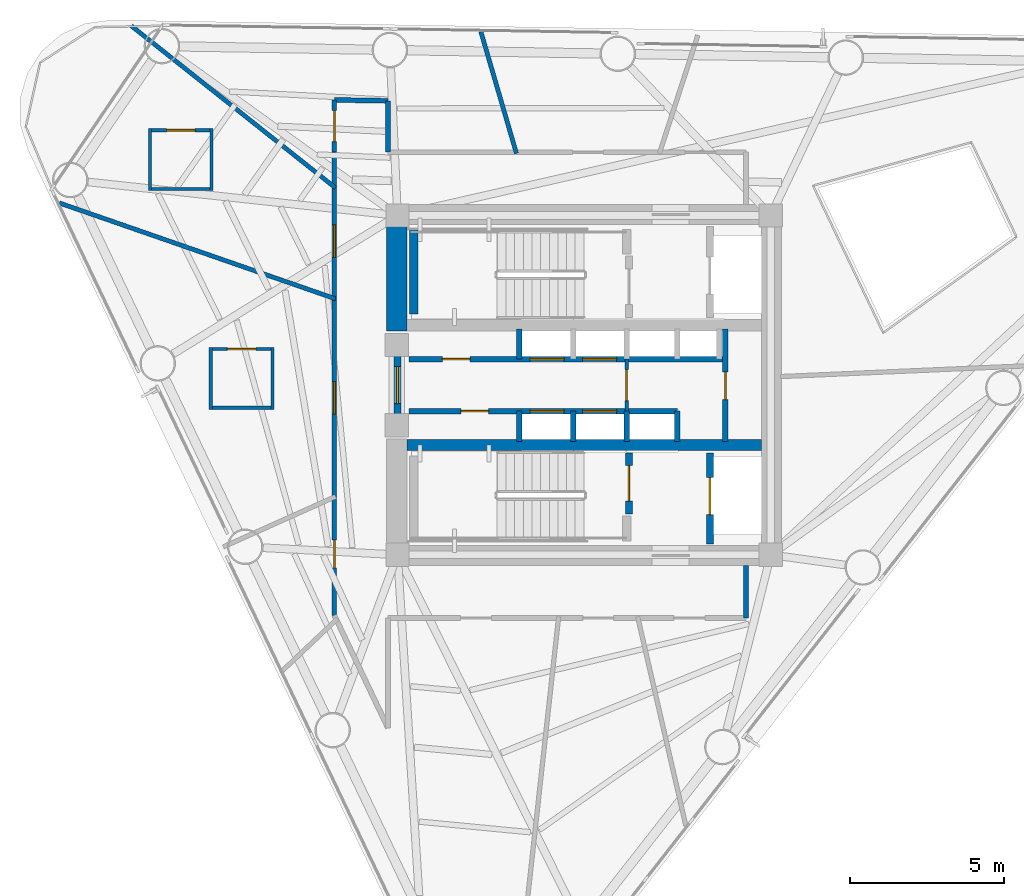
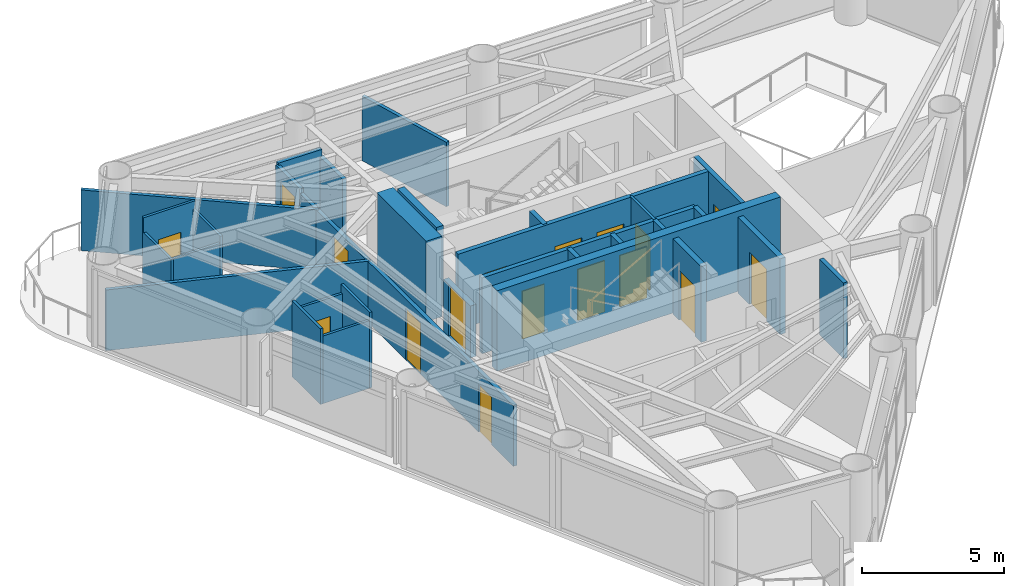
# One storey, part 5 of 9: 31 walls, 17 doors, 17 openings.
"""IFC4 building model written with IfcOpenShell, lengths in metres."""

from ifc_helpers import new_model, si_unit, direction, frame, frame_2d, origin, place, context, subcontext, project, spatial, rectangle, extrude, material, layer, layer_set, type_object, element, fill, save


model = new_model("IFC4")

# Units and contexts
model_context = context("Model", 3, precision=1e-05, world=origin(), true_north=direction((0.0, 1.0)))
body_context = subcontext(model_context, "Body", "Model", "MODEL_VIEW")
ifc_project = project(units=[si_unit("LENGTHUNIT", "METRE"), si_unit("AREAUNIT", "SQUARE_METRE"), si_unit("VOLUMEUNIT", "CUBIC_METRE"), si_unit("PLANEANGLEUNIT", "RADIAN"), si_unit("MASSUNIT", "GRAM", prefix="KILO")], contexts=[model_context])

# Site, building, storey
site_placement = place(None, origin())
site = spatial("IfcSite", under=ifc_project, at=site_placement, CompositionType="ELEMENT")
building_placement = place(site_placement, origin())
building = spatial("IfcBuilding", under=site, at=building_placement, Name="Yunling Apex Tower", CompositionType="ELEMENT")
storey_placement = place(building_placement, frame((0.0, 0.0, 205.25)))
storey = spatial("IfcBuildingStorey", under=building, at=storey_placement, Name="L50", CompositionType="ELEMENT", Elevation=205.25)

# Walls
ifc_material_1 = material(Name="Concrete C50", Category="concrete")
ifc_layer_1 = layer(ifc_material_1, 0.64990234375)
ifc_layer_set_1 = layer_set([ifc_layer_1], Name="Concrete C50")
wall_type_1 = type_object("IfcWallType", Name="WL-COR-2", PredefinedType="SHEAR", material=ifc_layer_set_1)
wall_1_placement = place(storey_placement, frame((-6.074951171875, 1.75, 0.0), z_axis=(0.0, 0.0, 1.0), x_axis=(0.0, 1.0, 0.0)))
element("IfcWall", 1, at=wall_1_placement, inside=storey, type_object=wall_type_1, Name="L50 West-North Core Shear Wall", PredefinedType="SHEAR", context=body_context, shape_type="SweptSolid", body=[
    extrude(rectangle(XDim=3.449951171875, YDim=0.64990234375, at=frame_2d((1.72509765625, 0.0))), origin(), (0.0, 0.0, 1.0), 3.449951171875),
])
ifc_material_2 = material(Name="Concrete C40", Category="concrete")
ifc_layer_2 = layer(ifc_material_2, 0.360107421875)
ifc_layer_set_2 = layer_set([ifc_layer_2], Name="Concrete C40")
wall_type_2 = type_object("IfcWallType", Name="WL-COR-4", PredefinedType="SHEAR", material=ifc_layer_set_2)
wall_2_placement = place(storey_placement, frame((-5.75, -1.93994140625, 0.0), z_axis=(0.0, 0.0, 1.0), x_axis=(1.0, 0.0, 0.0)))
element("IfcWall", 2, at=wall_2_placement, inside=storey, type_object=wall_type_2, Name="L50 South Internal Core Shear Wall", PredefinedType="SHEAR", context=body_context, shape_type="SweptSolid", body=[
    extrude(rectangle(XDim=11.5, YDim=0.360107421875, at=frame_2d((5.75, 0.0))), origin(), (0.0, 0.0, 1.0), 3.449951171875),
])
ifc_layer_3 = layer(ifc_material_2, 0.280029296875)
ifc_layer_set_3 = layer_set([ifc_layer_3], Name="Concrete C40")
wall_type_3 = type_object("IfcWallType", Name="WL-COR-8", PredefinedType="SHEAR", material=ifc_layer_set_3)
wall_3_placement = place(storey_placement, frame((-5.52001953125, 2.300048828125, 0.0), z_axis=(0.0, 0.0, 1.0), x_axis=(0.0, 1.0, 0.0)))
element("IfcWall", 3, at=wall_3_placement, inside=storey, type_object=wall_type_3, Name="L50 ST-1 West Landing Bearing Wall", PredefinedType="SHEAR", context=body_context, shape_type="SweptSolid", body=[
    extrude(rectangle(XDim=2.75, YDim=0.280029296875, at=frame_2d((1.375, 0.0))), origin(), (0.0, 0.0, 1.0), 3.449951171875),
])

# Wall, openings, doors
ifc_material_3 = material(Name="Gypsum board acoustic partition")
ifc_layer_4 = layer(ifc_material_3, 0.159912109375)
ifc_layer_set_4 = layer_set([ifc_layer_4], Name="Gypsum board acoustic partition")
wall_type_4 = type_object("IfcWallType", Name="WL-PRT-1", PredefinedType="PARTITIONING", material=ifc_layer_set_4)
wall_4_placement = place(storey_placement, frame((-8.10009765625, -7.460205078125, 0.0), z_axis=(0.0, 0.0, 1.0), x_axis=(0.0, 1.0, 0.0)))
wall_4 = element("IfcWall", 4, at=wall_4_placement, inside=storey, type_object=wall_type_4, Name="WL-CORR-L50-02", PredefinedType="PARTITIONING", context=body_context, shape_type="SweptSolid", body=[
    extrude(rectangle(XDim=15.01025390625, YDim=0.159912109375, at=frame_2d((7.505126953125, 0.0))), origin(), (0.0, 0.0, 1.0), 2.60498046875),
])
opening_1_placement = place(wall_4_placement, frame((1.537109375, 0.0, 0.0)))
opening_1 = element("IfcOpeningElement", 5, at=opening_1_placement, cuts=wall_4, Name="Opening DR-SHF-1", PredefinedType="OPENING", context=body_context, shape_type="SweptSolid", body=[
    extrude(rectangle(XDim=0.89990234375, YDim=2.050048828125, at=frame_2d((0.449951171875, 1.02490234375))), frame((0.0, 0.08984375, 0.0), z_axis=(0.0, -1.0, 0.0), x_axis=(1.0, 0.0, 0.0)), (0.0, 0.0, 1.0), 0.179931640625),
])
opening_2_placement = place(wall_4_placement, frame((6.522216796875, 0.0, 0.0)))
opening_2 = element("IfcOpeningElement", 6, at=opening_2_placement, cuts=wall_4, Name="Opening DR-FL-1", PredefinedType="OPENING", context=body_context, shape_type="SweptSolid", body=[
    extrude(rectangle(XDim=1.050048828125, YDim=2.199951171875, at=frame_2d((0.52490234375, 1.10009765625))), frame((0.0, 0.08984375, 0.0), z_axis=(0.0, -1.0, 0.0), x_axis=(1.0, 0.0, 0.0)), (0.0, 0.0, 1.0), 0.179931640625),
])
opening_3_placement = place(wall_4_placement, frame((11.604248046875, 0.0, 0.0)))
opening_3 = element("IfcOpeningElement", 7, at=opening_3_placement, cuts=wall_4, Name="Opening DR-FL-1", PredefinedType="OPENING", context=body_context, shape_type="SweptSolid", body=[
    extrude(rectangle(XDim=1.050048828125, YDim=2.199951171875, at=frame_2d((0.52490234375, 1.10009765625))), frame((0.0, 0.08984375, 0.0), z_axis=(0.0, -1.0, 0.0), x_axis=(1.0, 0.0, 0.0)), (0.0, 0.0, 1.0), 0.179931640625),
])
ifc_material_4 = material(Name="Timber fire-rated leaf", Category="wood")
door_type_1 = type_object("IfcDoorType", Name="DR-FL-1", OperationType="NOTDEFINED", PredefinedType="DOOR", material=ifc_material_4)
door_1_placement = place(opening_2_placement, origin())
door_1 = element("IfcDoor", 8, at=door_1_placement, inside=storey, type_object=door_type_1, Name="L50 Hotel Suite Door", OperationType="SINGLE_SWING_LEFT", OverallHeight=2.199951171875, OverallWidth=1.050048828125, PredefinedType="DOOR", context=body_context, shape_type="SweptSolid", body=[
    extrude(rectangle(XDim=1.050048828125, YDim=2.199951171875, at=frame_2d((0.52490234375, 1.10009765625))), frame((0.0, 0.02490234375, 0.0), z_axis=(0.0, -1.0, 0.0), x_axis=(1.0, 0.0, 0.0)), (0.0, 0.0, 1.0), 0.050048828125),
])
fill(opening_2, door_1)
door_2_placement = place(opening_3_placement, origin())
door_2 = element("IfcDoor", 9, at=door_2_placement, inside=storey, type_object=door_type_1, Name="L50 Hotel Suite Door", OperationType="SINGLE_SWING_RIGHT", OverallHeight=2.199951171875, OverallWidth=1.050048828125, PredefinedType="DOOR", context=body_context, shape_type="SweptSolid", body=[
    extrude(rectangle(XDim=1.050048828125, YDim=2.199951171875, at=frame_2d((0.52490234375, 1.10009765625))), frame((0.0, 0.02490234375, 0.0), z_axis=(0.0, -1.0, 0.0), x_axis=(1.0, 0.0, 0.0)), (0.0, 0.0, 1.0), 0.050048828125),
])
fill(opening_3, door_2)
ifc_material_5 = material(Name="Steel Q355B", Category="steel")
door_type_2 = type_object("IfcDoorType", Name="DR-SHF-1", OperationType="NOTDEFINED", PredefinedType="DOOR", material=ifc_material_5)
door_3_placement = place(opening_1_placement, origin())
door_3 = element("IfcDoor", 10, at=door_3_placement, inside=storey, type_object=door_type_2, Name="L50 Housekeeping Room Door", OperationType="SINGLE_SWING_RIGHT", OverallHeight=2.050048828125, OverallWidth=0.89990234375, PredefinedType="DOOR", context=body_context, shape_type="SweptSolid", body=[
    extrude(rectangle(XDim=0.89990234375, YDim=2.050048828125, at=frame_2d((0.449951171875, 1.02490234375))), frame((0.0, 0.02490234375, 0.0), z_axis=(0.0, -1.0, 0.0), x_axis=(1.0, 0.0, 0.0)), (0.0, 0.0, 1.0), 0.050048828125),
])
fill(opening_1, door_3)

# Wall, opening, door
wall_5_placement = place(storey_placement, frame((-8.10009765625, 7.550048828125, 0.0), z_axis=(0.0, 0.0, 1.0), x_axis=(0.0, 1.0, 0.0)))
wall_5 = element("IfcWall", 11, at=wall_5_placement, inside=storey, type_object=wall_type_4, Name="WL-CORR-L50-03", PredefinedType="PARTITIONING", context=body_context, shape_type="SweptSolid", body=[
    extrude(rectangle(XDim=1.695556640625, YDim=0.159912109375, at=frame_2d((0.84765625, 0.0))), origin(), (0.0, 0.0, 1.0), 2.804931640625),
])
opening_4_placement = place(wall_5_placement, frame((0.347900390625, 0.0, 0.0)))
opening_4 = element("IfcOpeningElement", 12, at=opening_4_placement, cuts=wall_5, Name="Opening DR-OFF-1", PredefinedType="OPENING", context=body_context, shape_type="SweptSolid", body=[
    extrude(rectangle(XDim=1.0, YDim=2.25, at=frame_2d((0.5, 1.125))), frame((0.0, 0.08984375, 0.0), z_axis=(0.0, -1.0, 0.0), x_axis=(1.0, 0.0, 0.0)), (0.0, 0.0, 1.0), 0.179931640625),
])
ifc_material_6 = material(Name="Bronze anodised aluminium", Category="aluminium")
door_type_3 = type_object("IfcDoorType", Name="DR-OFF-1", OperationType="NOTDEFINED", PredefinedType="DOOR", material=ifc_material_6)
door_4_placement = place(opening_4_placement, origin())
door_4 = element("IfcDoor", 13, at=door_4_placement, inside=storey, type_object=door_type_3, Name="L50 Club Lounge Door", OperationType="SINGLE_SWING_LEFT", OverallHeight=2.25, OverallWidth=1.0, PredefinedType="DOOR", context=body_context, shape_type="SweptSolid", body=[
    extrude(rectangle(XDim=1.0, YDim=2.25, at=frame_2d((0.5, 1.125))), frame((0.0, 0.02490234375, 0.0), z_axis=(0.0, -1.0, 0.0), x_axis=(1.0, 0.0, 0.0)), (0.0, 0.0, 1.0), 0.050048828125),
])
fill(opening_4, door_4)

# Walls
wall_6_placement = place(storey_placement, frame((-8.10009765625, 9.24560546875, 0.0), z_axis=(0.0, 0.0, 1.0), x_axis=(0.999858281466, -0.016834992813, 0.0)))
element("IfcWall", 14, at=wall_6_placement, inside=storey, type_object=wall_type_4, Name="WL-CORR-L50-04", PredefinedType="PARTITIONING", context=body_context, shape_type="SweptSolid", body=[
    extrude(rectangle(XDim=1.740234375, YDim=0.159912109375, at=frame_2d((0.8701171875, 0.0))), origin(), (0.0, 0.0, 1.0), 2.905029296875),
])
wall_7_placement = place(storey_placement, frame((-6.360107421875, 9.21630859375, 0.0), z_axis=(0.0, 0.0, 1.0), x_axis=(0.0, -1.0, 0.0)))
element("IfcWall", 15, at=wall_7_placement, inside=storey, type_object=wall_type_4, Name="WL-CORR-L50-05", PredefinedType="PARTITIONING", context=body_context, shape_type="SweptSolid", body=[
    extrude(rectangle(XDim=1.666259765625, YDim=0.159912109375, at=frame_2d((0.8330078125, 0.0))), origin(), (0.0, 0.0, 1.0), 2.60498046875),
])
wall_8_placement = place(storey_placement, frame((5.25, -5.85009765625, 0.0), z_axis=(0.0, 0.0, 1.0), x_axis=(0.0, -1.0, 0.0)))
element("IfcWall", 16, at=wall_8_placement, inside=storey, type_object=wall_type_4, Name="WL-CORR-L50-08", PredefinedType="PARTITIONING", context=body_context, shape_type="SweptSolid", body=[
    extrude(rectangle(XDim=1.699951171875, YDim=0.159912109375, at=frame_2d((0.85009765625, 0.0))), origin(), (0.0, 0.0, 1.0), 3.25),
])
ifc_layer_5 = layer(ifc_material_3, 0.139892578125)
ifc_layer_set_5 = layer_set([ifc_layer_5], Name="Gypsum board acoustic partition")
wall_type_5 = type_object("IfcWallType", Name="WL-PRT-2", PredefinedType="PARTITIONING", material=ifc_layer_set_5)
wall_9_placement = place(storey_placement, frame((-2.194091796875, 7.510009765625, 0.0), z_axis=(0.0, 0.0, 1.0), x_axis=(-0.280410435425, 0.959880194454, 0.0)))
element("IfcWall", 17, at=wall_9_placement, inside=storey, type_object=wall_type_5, Name="WL-RAD-L50-03", PredefinedType="PARTITIONING", context=body_context, shape_type="SweptSolid", body=[
    extrude(rectangle(XDim=4.111328125, YDim=0.139892578125, at=frame_2d((2.0556640625, 0.0))), origin(), (0.0, 0.0, 1.0), 2.764892578125),
])
wall_10_placement = place(storey_placement, frame((-8.06005859375, 6.394775390625, 0.0), z_axis=(0.0, 0.0, 1.0), x_axis=(-0.783385602556, 0.621535998723, 0.0)))
element("IfcWall", 18, at=wall_10_placement, inside=storey, type_object=wall_type_5, Name="WL-RAD-L50-04", PredefinedType="PARTITIONING", context=body_context, shape_type="SweptSolid", body=[
    extrude(rectangle(XDim=8.44873046875, YDim=0.139892578125, at=frame_2d((4.224365234375, 0.0))), origin(), (0.0, 0.0, 1.0), 2.60498046875),
])
wall_11_placement = place(storey_placement, frame((-8.06005859375, 2.7978515625, 0.0), z_axis=(0.0, 0.0, 1.0), x_axis=(-0.944705149401, 0.327920997643, 0.0)))
element("IfcWall", 19, at=wall_11_placement, inside=storey, type_object=wall_type_5, Name="WL-RAD-L50-05", PredefinedType="PARTITIONING", context=body_context, shape_type="SweptSolid", body=[
    extrude(rectangle(XDim=9.47607421875, YDim=0.139892578125, at=frame_2d((4.738037109375, 0.0))), origin(), (0.0, 0.0, 1.0), 2.60498046875),
])

# Wall, opening, door
ifc_layer_6 = layer(ifc_material_3, 0.10009765625)
ifc_layer_set_6 = layer_set([ifc_layer_6], Name="Gypsum board acoustic partition")
wall_type_6 = type_object("IfcWallType", Name="WL-PRT-4", PredefinedType="PARTITIONING", material=ifc_layer_set_6)
wall_12_placement = place(storey_placement, frame((1.3798828125, -0.840087890625, 0.0), z_axis=(0.0, 0.0, 1.0), x_axis=(0.0, 1.0, 0.0)))
wall_12 = element("IfcWall", 20, at=wall_12_placement, inside=storey, type_object=wall_type_6, Name="WL-LOB-MID-L50", PredefinedType="PARTITIONING", context=body_context, shape_type="SweptSolid", body=[
    extrude(rectangle(XDim=1.68017578125, YDim=0.10009765625, at=frame_2d((0.840087890625, 0.0))), origin(), (0.0, 0.0, 1.0), 3.25),
])
opening_5_placement = place(wall_12_placement, frame((0.340087890625, 0.0, 0.0)))
opening_5 = element("IfcOpeningElement", 21, at=opening_5_placement, cuts=wall_12, Name="Opening DR-OFF-1", PredefinedType="OPENING", context=body_context, shape_type="SweptSolid", body=[
    extrude(rectangle(XDim=1.0, YDim=2.25, at=frame_2d((0.5, 1.125))), frame((0.0, 0.06005859375, 0.0), z_axis=(0.0, -1.0, 0.0), x_axis=(1.0, 0.0, 0.0)), (0.0, 0.0, 1.0), 0.1201171875),
])
door_5_placement = place(opening_5_placement, origin())
door_5 = element("IfcDoor", 22, at=door_5_placement, inside=storey, type_object=door_type_3, Name="L50 Core Lobby Link Door", OperationType="SINGLE_SWING_RIGHT", OverallHeight=2.25, OverallWidth=1.0, PredefinedType="DOOR", context=body_context, shape_type="SweptSolid", body=[
    extrude(rectangle(XDim=1.0, YDim=2.25, at=frame_2d((0.5, 1.125))), frame((0.0, 0.02490234375, 0.0), z_axis=(0.0, -1.0, 0.0), x_axis=(1.0, 0.0, 0.0)), (0.0, 0.0, 1.0), 0.050048828125),
])
fill(opening_5, door_5)

wall_13_placement = place(storey_placement, frame((-14.1240234375, 8.262939453125, 0.0), z_axis=(0.0, 0.0, 1.0), x_axis=(1.0, 0.0, 0.0)))
wall_13 = element("IfcWall", 23, at=wall_13_placement, inside=storey, type_object=wall_type_6, Name="WL-ENS-L50-8N", PredefinedType="PARTITIONING", context=body_context, shape_type="SweptSolid", body=[
    extrude(rectangle(XDim=2.10009765625, YDim=0.10009765625, at=frame_2d((1.050048828125, 0.0))), origin(), (0.0, 0.0, 1.0), 3.25),
])
opening_6_placement = place(wall_13_placement, frame((0.590087890625, 0.0, 0.0)))
opening_6 = element("IfcOpeningElement", 24, at=opening_6_placement, cuts=wall_13, Name="Opening DR-WC-1", PredefinedType="OPENING", context=body_context, shape_type="SweptSolid", body=[
    extrude(rectangle(XDim=0.919921875, YDim=2.10009765625, at=frame_2d((0.4599609375, 1.050048828125))), frame((0.0, 0.06005859375, 0.0), z_axis=(0.0, -1.0, 0.0), x_axis=(1.0, 0.0, 0.0)), (0.0, 0.0, 1.0), 0.1201171875),
])
ifc_material_7 = material(Name="Timber moisture-resistant leaf", Category="wood")
door_type_4 = type_object("IfcDoorType", Name="DR-WC-1", OperationType="NOTDEFINED", PredefinedType="DOOR", material=ifc_material_7)
door_6_placement = place(opening_6_placement, origin())
door_6 = element("IfcDoor", 25, at=door_6_placement, inside=storey, type_object=door_type_4, Name="L50 En-Suite Door", OperationType="SINGLE_SWING_RIGHT", OverallHeight=2.10009765625, OverallWidth=0.919921875, PredefinedType="DOOR", context=body_context, shape_type="SweptSolid", body=[
    extrude(rectangle(XDim=0.919921875, YDim=2.10009765625, at=frame_2d((0.4599609375, 1.050048828125))), frame((0.0, 0.02490234375, 0.0), z_axis=(0.0, -1.0, 0.0), x_axis=(1.0, 0.0, 0.0)), (0.0, 0.0, 1.0), 0.050048828125),
])
fill(opening_6, door_6)

# Walls
wall_14_placement = place(storey_placement, frame((-12.02392578125, 6.363037109375, 0.0), z_axis=(0.0, 0.0, 1.0), x_axis=(-1.0, 0.0, 0.0)))
element("IfcWall", 26, at=wall_14_placement, inside=storey, type_object=wall_type_6, Name="WL-ENS-L50-8S", PredefinedType="PARTITIONING", context=body_context, shape_type="SweptSolid", body=[
    extrude(rectangle(XDim=2.10009765625, YDim=0.10009765625, at=frame_2d((1.050048828125, 0.0))), origin(), (0.0, 0.0, 1.0), 2.60498046875),
])
wall_15_placement = place(storey_placement, frame((-12.073974609375, 8.31298828125, 0.0), z_axis=(0.0, 0.0, 1.0), x_axis=(0.0, -1.0, 0.0)))
element("IfcWall", 27, at=wall_15_placement, inside=storey, type_object=wall_type_6, Name="WL-ENS-L50-8E", PredefinedType="PARTITIONING", context=body_context, shape_type="SweptSolid", body=[
    extrude(rectangle(XDim=2.0, YDim=0.10009765625, at=frame_2d((1.0, 0.0))), origin(), (0.0, 0.0, 1.0), 2.905029296875),
])
wall_16_placement = place(storey_placement, frame((-14.073974609375, 6.31298828125, 0.0), z_axis=(0.0, 0.0, 1.0), x_axis=(0.0, 1.0, 0.0)))
element("IfcWall", 28, at=wall_16_placement, inside=storey, type_object=wall_type_6, Name="WL-ENS-L50-8W", PredefinedType="PARTITIONING", context=body_context, shape_type="SweptSolid", body=[
    extrude(rectangle(XDim=2.0, YDim=0.10009765625, at=frame_2d((1.0, 0.0))), origin(), (0.0, 0.0, 1.0), 2.60498046875),
])

# Wall, opening, door
wall_17_placement = place(storey_placement, frame((-12.155029296875, 1.1669921875, 0.0), z_axis=(0.0, 0.0, 1.0), x_axis=(1.0, 0.0, 0.0)))
wall_17 = element("IfcWall", 29, at=wall_17_placement, inside=storey, type_object=wall_type_6, Name="WL-ENS-L50-9N", PredefinedType="PARTITIONING", context=body_context, shape_type="SweptSolid", body=[
    extrude(rectangle(XDim=2.10009765625, YDim=0.10009765625, at=frame_2d((1.050048828125, 0.0))), origin(), (0.0, 0.0, 1.0), 2.905029296875),
])
opening_7_placement = place(wall_17_placement, frame((0.590087890625, 0.0, 0.0)))
opening_7 = element("IfcOpeningElement", 30, at=opening_7_placement, cuts=wall_17, Name="Opening DR-WC-1", PredefinedType="OPENING", context=body_context, shape_type="SweptSolid", body=[
    extrude(rectangle(XDim=0.919921875, YDim=2.10009765625, at=frame_2d((0.4599609375, 1.050048828125))), frame((0.0, 0.06005859375, 0.0), z_axis=(0.0, -1.0, 0.0), x_axis=(1.0, 0.0, 0.0)), (0.0, 0.0, 1.0), 0.1201171875),
])
door_7_placement = place(opening_7_placement, origin())
door_7 = element("IfcDoor", 31, at=door_7_placement, inside=storey, type_object=door_type_4, Name="L50 En-Suite Door", OperationType="SINGLE_SWING_LEFT", OverallHeight=2.10009765625, OverallWidth=0.919921875, PredefinedType="DOOR", context=body_context, shape_type="SweptSolid", body=[
    extrude(rectangle(XDim=0.919921875, YDim=2.10009765625, at=frame_2d((0.4599609375, 1.050048828125))), frame((0.0, 0.02490234375, 0.0), z_axis=(0.0, -1.0, 0.0), x_axis=(1.0, 0.0, 0.0)), (0.0, 0.0, 1.0), 0.050048828125),
])
fill(opening_7, door_7)

# Walls
wall_18_placement = place(storey_placement, frame((-10.054931640625, -0.73291015625, 0.0), z_axis=(0.0, 0.0, 1.0), x_axis=(-1.0, 0.0, 0.0)))
element("IfcWall", 32, at=wall_18_placement, inside=storey, type_object=wall_type_6, Name="WL-ENS-L50-9S", PredefinedType="PARTITIONING", context=body_context, shape_type="SweptSolid", body=[
    extrude(rectangle(XDim=2.10009765625, YDim=0.10009765625, at=frame_2d((1.050048828125, 0.0))), origin(), (0.0, 0.0, 1.0), 2.905029296875),
])
for number, where, z_axis, x_axis, name in (
    (33, (-10.10498046875, 1.217041015625, 0.0), (0.0, 0.0, 1.0), (0.0, -1.0, 0.0), "WL-ENS-L50-9E"),
    (34, (-12.10498046875, -0.782958984375, 0.0), (0.0, 0.0, 1.0), (0.0, 1.0, 0.0), "WL-ENS-L50-9W"),
):
    element("IfcWall", number, at=place(storey_placement, frame(where, z_axis=z_axis, x_axis=x_axis)), inside=storey, type_object=wall_type_6, Name=name, PredefinedType="PARTITIONING", context=body_context, shape_type="SweptSolid", body=[
        extrude(rectangle(XDim=2.0, YDim=0.10009765625, at=frame_2d((1.0, 0.0))), origin(), (0.0, 0.0, 1.0), 3.25),
    ])

# Wall, opening, door
ifc_material_8 = material(Name="Autoclaved aerated concrete masonry", Category="masonry")
ifc_layer_7 = layer(ifc_material_8, 0.219970703125)
ifc_layer_set_7 = layer_set([ifc_layer_7], Name="Autoclaved aerated concrete masonry")
wall_type_7 = type_object("IfcWallType", Name="WL-SHF-1", PredefinedType="PLUMBINGWALL", material=ifc_layer_set_7)
wall_19_placement = place(storey_placement, frame((-6.050048828125, -0.949951171875, 0.0), z_axis=(0.0, 0.0, 1.0), x_axis=(0.0, 1.0, 0.0)))
wall_19 = element("IfcWall", 35, at=wall_19_placement, inside=storey, type_object=wall_type_7, Name="WL-COR-WPORT-L50", PredefinedType="PLUMBINGWALL", context=body_context, shape_type="SweptSolid", body=[
    extrude(rectangle(XDim=1.89990234375, YDim=0.219970703125, at=frame_2d((0.949951171875, 0.0))), origin(), (0.0, 0.0, 1.0), 2.22998046875),
])
opening_8_placement = place(wall_19_placement, frame((0.35009765625, 0.0, 0.0)))
opening_8 = element("IfcOpeningElement", 36, at=opening_8_placement, cuts=wall_19, Name="Opening DR-FFL-1", PredefinedType="OPENING", context=body_context, shape_type="SweptSolid", body=[
    extrude(rectangle(XDim=1.199951171875, YDim=2.199951171875, at=frame_2d((0.60009765625, 1.10009765625))), frame((0.0, 0.1201171875, 0.0), z_axis=(0.0, -1.0, 0.0), x_axis=(1.0, 0.0, 0.0)), (0.0, 0.0, 1.0), 0.239990234375),
])
door_type_5 = type_object("IfcDoorType", Name="DR-FFL-1", OperationType="NOTDEFINED", PredefinedType="DOOR", material=ifc_material_5)
door_8_placement = place(opening_8_placement, origin())
door_8 = element("IfcDoor", 37, at=door_8_placement, inside=storey, type_object=door_type_5, Name="L50 Passenger Lift Lobby Entrance Door", OperationType="SINGLE_SWING_LEFT", OverallHeight=2.199951171875, OverallWidth=1.199951171875, PredefinedType="DOOR", context=body_context, shape_type="SweptSolid", body=[
    extrude(rectangle(XDim=1.199951171875, YDim=2.199951171875, at=frame_2d((0.60009765625, 1.10009765625))), frame((0.0, 0.02490234375, 0.0), z_axis=(0.0, -1.0, 0.0), x_axis=(1.0, 0.0, 0.0)), (0.0, 0.0, 1.0), 0.050048828125),
])
fill(opening_8, door_8)

wall_20_placement = place(storey_placement, frame((1.449951171875, -4.179931640625, 0.0), z_axis=(0.0, 0.0, 1.0), x_axis=(0.0, 1.0, 0.0)))
wall_20 = element("IfcWall", 38, at=wall_20_placement, inside=storey, type_object=wall_type_7, Name="WL-ST2-E-L50", PredefinedType="PLUMBINGWALL", context=body_context, shape_type="SweptSolid", body=[
    extrude(rectangle(XDim=1.97998046875, YDim=0.219970703125, at=frame_2d((0.989990234375, 0.0))), origin(), (0.0, 0.0, 1.0), 3.25),
])
opening_9_placement = place(wall_20_placement, frame((0.419921875, 0.0, 0.0)))
opening_9 = element("IfcOpeningElement", 39, at=opening_9_placement, cuts=wall_20, Name="Opening DR-ST-1", PredefinedType="OPENING", context=body_context, shape_type="SweptSolid", body=[
    extrude(rectangle(XDim=1.14990234375, YDim=2.14990234375, at=frame_2d((0.574951171875, 1.074951171875))), frame((0.0, 0.1201171875, 0.0), z_axis=(0.0, -1.0, 0.0), x_axis=(1.0, 0.0, 0.0)), (0.0, 0.0, 1.0), 0.239990234375),
])
door_type_6 = type_object("IfcDoorType", Name="DR-ST-1", OperationType="NOTDEFINED", PredefinedType="DOOR", material=ifc_material_5)
door_9_placement = place(opening_9_placement, origin())
door_9 = element("IfcDoor", 40, at=door_9_placement, inside=storey, type_object=door_type_6, Name="L50 Stair ST-2 Fire Door", OperationType="SINGLE_SWING_LEFT", OverallHeight=2.14990234375, OverallWidth=1.14990234375, PredefinedType="DOOR", context=body_context, shape_type="SweptSolid", body=[
    extrude(rectangle(XDim=1.14990234375, YDim=2.14990234375, at=frame_2d((0.574951171875, 1.074951171875))), frame((0.0, 0.02490234375, 0.0), z_axis=(0.0, -1.0, 0.0), x_axis=(1.0, 0.0, 0.0)), (0.0, 0.0, 1.0), 0.050048828125),
])
fill(opening_9, door_9)

wall_21_placement = place(storey_placement, frame((4.080078125, -5.14990234375, 0.0), z_axis=(0.0, 0.0, 1.0), x_axis=(0.0, 1.0, 0.0)))
wall_21 = element("IfcWall", 41, at=wall_21_placement, inside=storey, type_object=wall_type_7, Name="WL-FFL2-W-L50", PredefinedType="PLUMBINGWALL", context=body_context, shape_type="SweptSolid", body=[
    extrude(rectangle(XDim=2.949951171875, YDim=0.219970703125, at=frame_2d((1.47509765625, 0.0))), origin(), (0.0, 0.0, 1.0), 3.25),
])
opening_10_placement = place(wall_21_placement, frame((0.949951171875, 0.0, 0.0)))
opening_10 = element("IfcOpeningElement", 42, at=opening_10_placement, cuts=wall_21, Name="Opening LD-FFL-1", PredefinedType="OPENING", context=body_context, shape_type="SweptSolid", body=[
    extrude(rectangle(XDim=1.199951171875, YDim=2.25, at=frame_2d((0.60009765625, 1.125))), frame((0.0, 0.1201171875, 0.0), z_axis=(0.0, -1.0, 0.0), x_axis=(1.0, 0.0, 0.0)), (0.0, 0.0, 1.0), 0.239990234375),
])
door_type_7 = type_object("IfcDoorType", Name="LD-FFL-1", OperationType="DOUBLE_DOOR_SLIDING", PredefinedType="DOOR", material=ifc_material_5)
door_10_placement = place(opening_10_placement, origin())
door_10 = element("IfcDoor", 43, at=door_10_placement, inside=storey, type_object=door_type_7, Name="L50 Lift FFL-2 Landing Door", OperationType="DOUBLE_DOOR_SLIDING", OverallHeight=2.25, OverallWidth=1.199951171875, PredefinedType="DOOR", context=body_context, shape_type="SweptSolid", body=[
    extrude(rectangle(XDim=1.199951171875, YDim=2.25, at=frame_2d((0.60009765625, 1.125))), frame((0.0, 0.02490234375, 0.0), z_axis=(0.0, -1.0, 0.0), x_axis=(1.0, 0.0, 0.0)), (0.0, 0.0, 1.0), 0.050048828125),
])
fill(opening_10, door_10)

# Walls
ifc_layer_8 = layer(ifc_material_8, 0.179931640625)
ifc_layer_set_8 = layer_set([ifc_layer_8], Name="Autoclaved aerated concrete masonry")
wall_type_8 = type_object("IfcWallType", Name="WL-SHF-2", PredefinedType="PLUMBINGWALL", material=ifc_layer_set_8)
for number, where, z_axis, x_axis, name in (
    (44, (-2.10009765625, 0.840087890625, 0.0), (0.0, 0.0, 1.0), (0.0, 1.0, 0.0), "WL-BNK-LM-N-L50"),
    (45, (-2.10009765625, -1.820068359375, 0.0), (0.0, 0.0, 1.0), (0.0, 1.0, 0.0), "WL-BNK-LM-S-L50"),
    (46, (-0.35009765625, -1.820068359375, 0.0), (0.0, 0.0, 1.0), (0.0, 1.0, 0.0), "WL-DIV-M34-L50"),
    (47, (1.3798828125, -1.820068359375, 0.0), (0.0, 0.0, 1.0), (0.0, 1.0, 0.0), "WL-BNK-MH-S-L50"),
    (48, (3.02001953125, -1.820068359375, 0.0), (0.0, 0.0, 1.0), (0.0, 1.0, 0.0), "WL-END-H2E-L50"),
):
    element("IfcWall", number, at=place(storey_placement, frame(where, z_axis=z_axis, x_axis=x_axis)), inside=storey, type_object=wall_type_8, Name=name, PredefinedType="PLUMBINGWALL", context=body_context, shape_type="SweptSolid", body=[
        extrude(rectangle(XDim=0.97998046875, YDim=0.179931640625, at=frame_2d((0.489990234375, 0.0))), origin(), (0.0, 0.0, 1.0), 3.25),
    ])

# Wall, opening, door
wall_22_placement = place(storey_placement, frame((4.580078125, -1.820068359375, 0.0), z_axis=(0.0, 0.0, 1.0), x_axis=(0.0, 1.0, 0.0)))
wall_22 = element("IfcWall", 49, at=wall_22_placement, inside=storey, type_object=wall_type_8, Name="WL-KBE-W-L50", PredefinedType="PLUMBINGWALL", context=body_context, shape_type="SweptSolid", body=[
    extrude(rectangle(XDim=3.64013671875, YDim=0.179931640625, at=frame_2d((1.820068359375, 0.0))), origin(), (0.0, 0.0, 1.0), 3.25),
])
opening_11_placement = place(wall_22_placement, frame((1.35009765625, 0.0, 0.0)))
opening_11 = element("IfcOpeningElement", 50, at=opening_11_placement, cuts=wall_22, Name="Opening DR-SHF-1", PredefinedType="OPENING", context=body_context, shape_type="SweptSolid", body=[
    extrude(rectangle(XDim=0.89990234375, YDim=2.050048828125, at=frame_2d((0.449951171875, 1.02490234375))), frame((0.0, 0.10009765625, 0.0), z_axis=(0.0, -1.0, 0.0), x_axis=(1.0, 0.0, 0.0)), (0.0, 0.0, 1.0), 0.199951171875),
])
door_11_placement = place(opening_11_placement, origin())
door_11 = element("IfcDoor", 51, at=door_11_placement, inside=storey, type_object=door_type_2, Name="L50 Core Meter Room Door", OperationType="SINGLE_SWING_LEFT", OverallHeight=2.050048828125, OverallWidth=0.89990234375, PredefinedType="DOOR", context=body_context, shape_type="SweptSolid", body=[
    extrude(rectangle(XDim=0.89990234375, YDim=2.050048828125, at=frame_2d((0.449951171875, 1.02490234375))), frame((0.0, 0.02490234375, 0.0), z_axis=(0.0, -1.0, 0.0), x_axis=(1.0, 0.0, 0.0)), (0.0, 0.0, 1.0), 0.050048828125),
])
fill(opening_11, door_11)

# Wall, openings, doors
wall_23_placement = place(storey_placement, frame((-5.679931640625, 0.840087890625, 0.0), z_axis=(0.0, 0.0, 1.0), x_axis=(1.0, 0.0, 0.0)))
wall_23 = element("IfcWall", 52, at=wall_23_placement, inside=storey, type_object=wall_type_8, Name="WL-LOB-N-L50", PredefinedType="PLUMBINGWALL", context=body_context, shape_type="SweptSolid", body=[
    extrude(rectangle(XDim=10.260009765625, YDim=0.179931640625, at=frame_2d((5.1298828125, 0.0))), origin(), (0.0, 0.0, 1.0), 3.25),
])
opening_12_placement = place(wall_23_placement, frame((1.080078125, 0.0, 0.0)))
opening_12 = element("IfcOpeningElement", 53, at=opening_12_placement, cuts=wall_23, Name="Opening DR-SHF-1", PredefinedType="OPENING", context=body_context, shape_type="SweptSolid", body=[
    extrude(rectangle(XDim=0.89990234375, YDim=2.050048828125, at=frame_2d((0.449951171875, 1.02490234375))), frame((0.0, 0.10009765625, 0.0), z_axis=(0.0, -1.0, 0.0), x_axis=(1.0, 0.0, 0.0)), (0.0, 0.0, 1.0), 0.199951171875),
])
opening_13_placement = place(wall_23_placement, frame((3.929931640625, 0.0, 0.0)))
opening_13 = element("IfcOpeningElement", 54, at=opening_13_placement, cuts=wall_23, Name="Opening LD-PAS-1", PredefinedType="OPENING", context=body_context, shape_type="SweptSolid", body=[
    extrude(rectangle(XDim=1.10009765625, YDim=2.199951171875, at=frame_2d((0.550048828125, 1.10009765625))), frame((0.0, 0.10009765625, 0.0), z_axis=(0.0, -1.0, 0.0), x_axis=(1.0, 0.0, 0.0)), (0.0, 0.0, 1.0), 0.199951171875),
])
opening_14_placement = place(wall_23_placement, frame((5.6298828125, 0.0, 0.0)))
opening_14 = element("IfcOpeningElement", 55, at=opening_14_placement, cuts=wall_23, Name="Opening LD-PAS-1", PredefinedType="OPENING", context=body_context, shape_type="SweptSolid", body=[
    extrude(rectangle(XDim=1.10009765625, YDim=2.199951171875, at=frame_2d((0.550048828125, 1.10009765625))), frame((0.0, 0.10009765625, 0.0), z_axis=(0.0, -1.0, 0.0), x_axis=(1.0, 0.0, 0.0)), (0.0, 0.0, 1.0), 0.199951171875),
])
door_12_placement = place(opening_12_placement, origin())
door_12 = element("IfcDoor", 56, at=door_12_placement, inside=storey, type_object=door_type_2, Name="L50 BMS Plant Door", OperationType="SINGLE_SWING_RIGHT", OverallHeight=2.050048828125, OverallWidth=0.89990234375, PredefinedType="DOOR", context=body_context, shape_type="SweptSolid", body=[
    extrude(rectangle(XDim=0.89990234375, YDim=2.050048828125, at=frame_2d((0.449951171875, 1.02490234375))), frame((0.0, 0.02490234375, 0.0), z_axis=(0.0, -1.0, 0.0), x_axis=(1.0, 0.0, 0.0)), (0.0, 0.0, 1.0), 0.050048828125),
])
fill(opening_12, door_12)
ifc_material_9 = material(Name="Silver anodised aluminium", Category="aluminium")
door_type_8 = type_object("IfcDoorType", Name="LD-PAS-1", OperationType="DOUBLE_DOOR_SLIDING", PredefinedType="DOOR", material=ifc_material_9)
door_13_placement = place(opening_13_placement, origin())
door_13 = element("IfcDoor", 57, at=door_13_placement, inside=storey, type_object=door_type_8, Name="L50 Lift PL-M1 Landing Door", OperationType="DOUBLE_DOOR_SLIDING", OverallHeight=2.199951171875, OverallWidth=1.10009765625, PredefinedType="DOOR", context=body_context, shape_type="SweptSolid", body=[
    extrude(rectangle(XDim=1.10009765625, YDim=2.199951171875, at=frame_2d((0.550048828125, 1.10009765625))), frame((0.0, 0.02490234375, 0.0), z_axis=(0.0, -1.0, 0.0), x_axis=(1.0, 0.0, 0.0)), (0.0, 0.0, 1.0), 0.050048828125),
])
fill(opening_13, door_13)
door_14_placement = place(opening_14_placement, origin())
door_14 = element("IfcDoor", 58, at=door_14_placement, inside=storey, type_object=door_type_8, Name="L50 Lift PL-M2 Landing Door", OperationType="DOUBLE_DOOR_SLIDING", OverallHeight=2.199951171875, OverallWidth=1.10009765625, PredefinedType="DOOR", context=body_context, shape_type="SweptSolid", body=[
    extrude(rectangle(XDim=1.10009765625, YDim=2.199951171875, at=frame_2d((0.550048828125, 1.10009765625))), frame((0.0, 0.02490234375, 0.0), z_axis=(0.0, -1.0, 0.0), x_axis=(1.0, 0.0, 0.0)), (0.0, 0.0, 1.0), 0.050048828125),
])
fill(opening_14, door_14)

wall_24_placement = place(storey_placement, frame((-5.679931640625, -0.840087890625, 0.0), z_axis=(0.0, 0.0, 1.0), x_axis=(1.0, 0.0, 0.0)))
wall_24 = element("IfcWall", 59, at=wall_24_placement, inside=storey, type_object=wall_type_8, Name="WL-LOB-S-L50", PredefinedType="PLUMBINGWALL", context=body_context, shape_type="SweptSolid", body=[
    extrude(rectangle(XDim=8.699951171875, YDim=0.179931640625, at=frame_2d((4.35009765625, 0.0))), origin(), (0.0, 0.0, 1.0), 3.25),
])
opening_15_placement = place(wall_24_placement, frame((1.679931640625, 0.0, 0.0)))
opening_15 = element("IfcOpeningElement", 60, at=opening_15_placement, cuts=wall_24, Name="Opening DR-SHF-1", PredefinedType="OPENING", context=body_context, shape_type="SweptSolid", body=[
    extrude(rectangle(XDim=0.89990234375, YDim=2.050048828125, at=frame_2d((0.449951171875, 1.02490234375))), frame((0.0, 0.10009765625, 0.0), z_axis=(0.0, -1.0, 0.0), x_axis=(1.0, 0.0, 0.0)), (0.0, 0.0, 1.0), 0.199951171875),
])
opening_16_placement = place(wall_24_placement, frame((3.929931640625, 0.0, 0.0)))
opening_16 = element("IfcOpeningElement", 61, at=opening_16_placement, cuts=wall_24, Name="Opening LD-PAS-1", PredefinedType="OPENING", context=body_context, shape_type="SweptSolid", body=[
    extrude(rectangle(XDim=1.10009765625, YDim=2.199951171875, at=frame_2d((0.550048828125, 1.10009765625))), frame((0.0, 0.10009765625, 0.0), z_axis=(0.0, -1.0, 0.0), x_axis=(1.0, 0.0, 0.0)), (0.0, 0.0, 1.0), 0.199951171875),
])
opening_17_placement = place(wall_24_placement, frame((5.6298828125, 0.0, 0.0)))
opening_17 = element("IfcOpeningElement", 62, at=opening_17_placement, cuts=wall_24, Name="Opening LD-PAS-1", PredefinedType="OPENING", context=body_context, shape_type="SweptSolid", body=[
    extrude(rectangle(XDim=1.10009765625, YDim=2.199951171875, at=frame_2d((0.550048828125, 1.10009765625))), frame((0.0, 0.10009765625, 0.0), z_axis=(0.0, -1.0, 0.0), x_axis=(1.0, 0.0, 0.0)), (0.0, 0.0, 1.0), 0.199951171875),
])
door_15_placement = place(opening_15_placement, origin())
door_15 = element("IfcDoor", 63, at=door_15_placement, inside=storey, type_object=door_type_2, Name="L50 Supply Store Door", OperationType="SINGLE_SWING_LEFT", OverallHeight=2.050048828125, OverallWidth=0.89990234375, PredefinedType="DOOR", context=body_context, shape_type="SweptSolid", body=[
    extrude(rectangle(XDim=0.89990234375, YDim=2.050048828125, at=frame_2d((0.449951171875, 1.02490234375))), frame((0.0, 0.02490234375, 0.0), z_axis=(0.0, -1.0, 0.0), x_axis=(1.0, 0.0, 0.0)), (0.0, 0.0, 1.0), 0.050048828125),
])
fill(opening_15, door_15)
door_16_placement = place(opening_16_placement, origin())
door_16 = element("IfcDoor", 64, at=door_16_placement, inside=storey, type_object=door_type_8, Name="L50 Lift PL-M3 Landing Door", OperationType="DOUBLE_DOOR_SLIDING", OverallHeight=2.199951171875, OverallWidth=1.10009765625, PredefinedType="DOOR", context=body_context, shape_type="SweptSolid", body=[
    extrude(rectangle(XDim=1.10009765625, YDim=2.199951171875, at=frame_2d((0.550048828125, 1.10009765625))), frame((0.0, 0.02490234375, 0.0), z_axis=(0.0, -1.0, 0.0), x_axis=(1.0, 0.0, 0.0)), (0.0, 0.0, 1.0), 0.050048828125),
])
fill(opening_16, door_16)
door_17_placement = place(opening_17_placement, origin())
door_17 = element("IfcDoor", 65, at=door_17_placement, inside=storey, type_object=door_type_8, Name="L50 Lift PL-M4 Landing Door", OperationType="DOUBLE_DOOR_SLIDING", OverallHeight=2.199951171875, OverallWidth=1.10009765625, PredefinedType="DOOR", context=body_context, shape_type="SweptSolid", body=[
    extrude(rectangle(XDim=1.10009765625, YDim=2.199951171875, at=frame_2d((0.550048828125, 1.10009765625))), frame((0.0, 0.02490234375, 0.0), z_axis=(0.0, -1.0, 0.0), x_axis=(1.0, 0.0, 0.0)), (0.0, 0.0, 1.0), 0.050048828125),
])
fill(opening_17, door_17)

save(model, "model.ifc")
